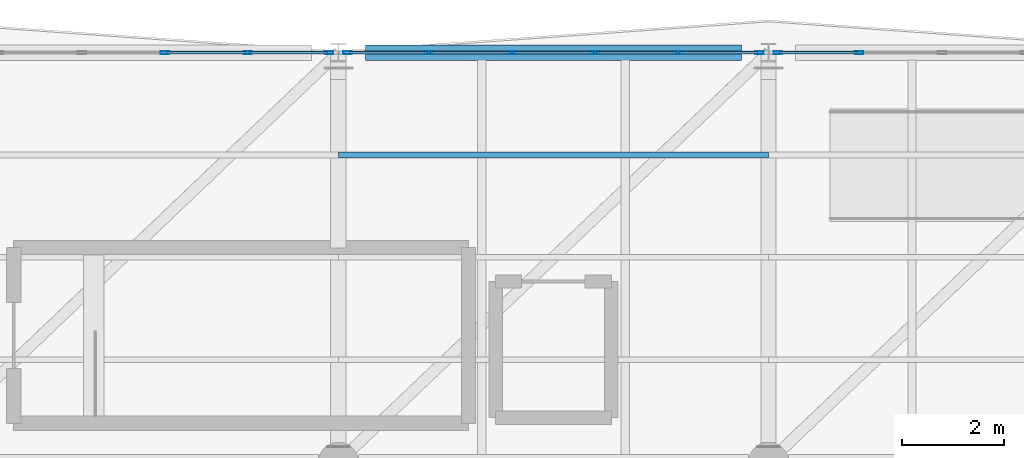
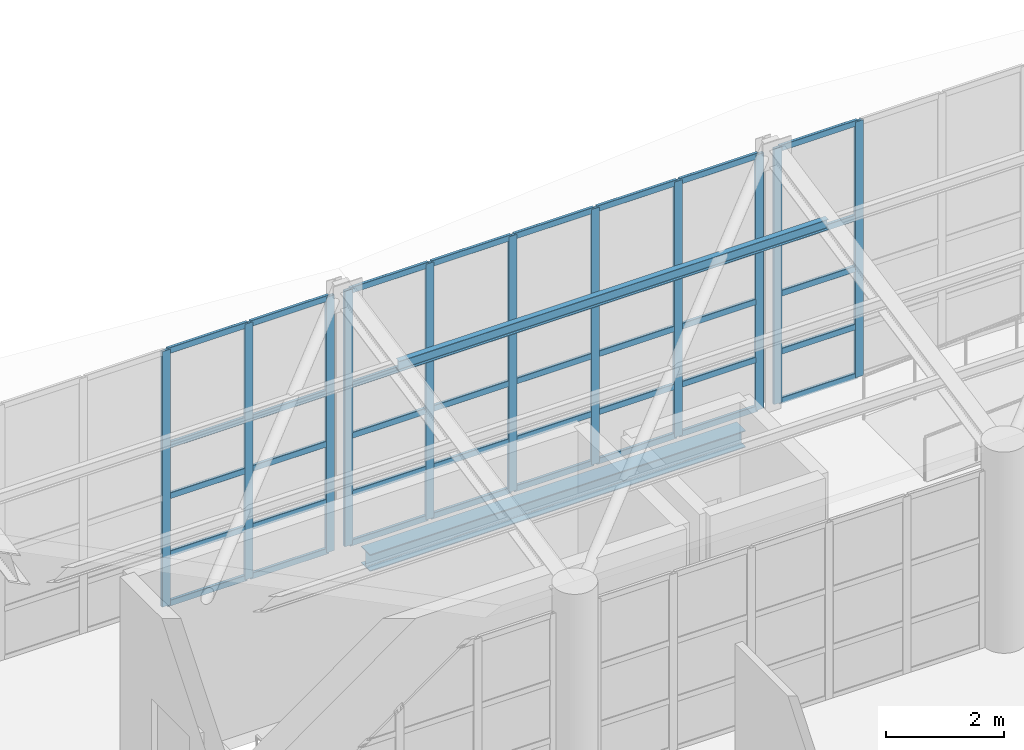
# One storey, part 101 of 177: 52 members, 1 beam, 3 elements without a shape of their own.
"""IFC4 building model written with IfcOpenShell, lengths in metres."""

from ifc_helpers import new_model, si_unit, direction, frame, origin, origin_2d, place, context, subcontext, project, spatial, hollow_rectangle, i_section, extrude, material, layer, layer_set, material_profile, profile_set, type_object, element, aggregate, save


model = new_model("IFC4")

# Units and contexts
model_context = context("Model", 3, precision=1e-05, world=origin(), true_north=direction((0.0, 1.0)))
body_context = subcontext(model_context, "Body", "Model", "MODEL_VIEW")
ifc_project = project(units=[si_unit("LENGTHUNIT", "METRE"), si_unit("AREAUNIT", "SQUARE_METRE"), si_unit("VOLUMEUNIT", "CUBIC_METRE"), si_unit("PLANEANGLEUNIT", "RADIAN"), si_unit("MASSUNIT", "GRAM", prefix="KILO"), si_unit("THERMODYNAMICTEMPERATUREUNIT", "KELVIN"), si_unit("POWERUNIT", "WATT")], contexts=[model_context])

# Site, building, storey
site_placement = place(None, origin())
site = spatial("IfcSite", under=ifc_project, at=site_placement, CompositionType="ELEMENT")
building_placement = place(site_placement, origin())
building = spatial("IfcBuilding", under=site, at=building_placement, Name="Mavoryth Pier Ferry Terminal", CompositionType="ELEMENT")
storey_placement = place(building_placement, frame((0.0, 0.0, 5.43994140625)))
storey = spatial("IfcBuildingStorey", under=building, at=storey_placement, Name="L01", CompositionType="ELEMENT", Elevation=5.43994140625)

# Curtain wall, members
ifc_material_1 = material(Name="Anodised Aluminium and Solar-Control Low-E Glass", Category="aluminium")
ifc_layer = layer(ifc_material_1, 0.139892578125, Name="Anodised Aluminium and Solar-Control Low-E Glass", Category="aluminium")
ifc_layer_set = layer_set([ifc_layer], Name="Anodised Aluminium and Solar-Control Low-E Glass - CW-Gallery-Mod1600")
curtain_wall_type = type_object("IfcCurtainWallType", Name="CW-Gallery-Mod1600", PredefinedType="USERDEFINED", material=ifc_layer_set)
curtain_wall_1_placement = place(storey_placement, origin())
curtain_wall_1 = element("IfcCurtainWall", 1, at=curtain_wall_1_placement, inside=storey, type_object=curtain_wall_type, Name="Curtain Wall CW-0122-078", ObjectType="UNITISED CURTAIN WALL", PredefinedType="USERDEFINED")
ifc_material_2 = material(Name="Anodised Aluminium EN AW-6063", Category="aluminium")
ifc_material_profile_1 = material_profile(ifc_material_2, hollow_rectangle(XDim=0.06005859375, YDim=0.1650390625, WallThickness=0.00390625, InnerFilletRadius=0.00390625, OuterFilletRadius=0.008056640625, at=origin_2d()), Name="AL-MULL 165x60x4", Category="aluminium")
ifc_profile_set_1 = profile_set([ifc_material_profile_1], Name="Anodised Aluminium EN AW-6063 - AL-MULL 165x60x4")
member_type_1 = type_object("IfcMemberType", Name="Mullion-Alum-165x60", PredefinedType="MULLION", material=ifc_profile_set_1)
member_1_placement = place(storey_placement, frame((67.02001953125, 114.0, 0.0), z_axis=(0.0, 0.0, 1.0), x_axis=(0.0, -1.0, 0.0)))
member_1 = element("IfcMember", 2, at=member_1_placement, type_object=member_type_1, Name="CW05 mullion 1", PredefinedType="MULLION", context=body_context, shape_type="SweptSolid", body=[
    extrude(hollow_rectangle(XDim=0.06005859375, YDim=0.1650390625, WallThickness=0.00390625, InnerFilletRadius=0.00390625, OuterFilletRadius=0.008056640625, at=origin_2d()), origin(), (0.0, 0.0, 1.0), 5.28759765625),
])
member_2_placement = place(storey_placement, frame((65.429931640625, 114.0, 0.0), z_axis=(0.0, 0.0, 1.0), x_axis=(0.0, -1.0, 0.0)))
member_2 = element("IfcMember", 3, at=member_2_placement, type_object=member_type_1, Name="CW05 mullion 2", PredefinedType="MULLION", context=body_context, shape_type="SweptSolid", body=[
    extrude(hollow_rectangle(XDim=0.06005859375, YDim=0.1650390625, WallThickness=0.00390625, InnerFilletRadius=0.00390625, OuterFilletRadius=0.008056640625, at=origin_2d()), origin(), (0.0, 0.0, 1.0), 5.28759765625),
])
member_3_placement = place(storey_placement, frame((63.81005859375, 114.0, 0.0), z_axis=(0.0, 0.0, 1.0), x_axis=(0.0, -1.0, 0.0)))
member_3 = element("IfcMember", 4, at=member_3_placement, type_object=member_type_1, Name="CW05 mullion 3", PredefinedType="MULLION", context=body_context, shape_type="SweptSolid", body=[
    extrude(hollow_rectangle(XDim=0.06005859375, YDim=0.1650390625, WallThickness=0.00390625, InnerFilletRadius=0.00390625, OuterFilletRadius=0.008056640625, at=origin_2d()), origin(), (0.0, 0.0, 1.0), 5.28759765625),
])

curtain_wall_2_placement = place(storey_placement, origin())
curtain_wall_2 = element("IfcCurtainWall", 5, at=curtain_wall_2_placement, inside=storey, type_object=curtain_wall_type, Name="Curtain Wall CW-0122-079", ObjectType="UNITISED CURTAIN WALL", PredefinedType="USERDEFINED")
member_4_placement = place(storey_placement, frame((75.419921875, 114.0, 0.0), z_axis=(0.0, 0.0, 1.0), x_axis=(0.0, -1.0, 0.0)))
member_4 = element("IfcMember", 6, at=member_4_placement, type_object=member_type_1, Name="CW05 mullion 1", PredefinedType="MULLION", context=body_context, shape_type="SweptSolid", body=[
    extrude(hollow_rectangle(XDim=0.06005859375, YDim=0.1650390625, WallThickness=0.00390625, InnerFilletRadius=0.00390625, OuterFilletRadius=0.008056640625, at=origin_2d()), origin(), (0.0, 0.0, 1.0), 5.28759765625),
])
member_5_placement = place(storey_placement, frame((73.830078125, 114.0, 0.0), z_axis=(0.0, 0.0, 1.0), x_axis=(0.0, -1.0, 0.0)))
member_5 = element("IfcMember", 7, at=member_5_placement, type_object=member_type_1, Name="CW05 mullion 2", PredefinedType="MULLION", context=body_context, shape_type="SweptSolid", body=[
    extrude(hollow_rectangle(XDim=0.06005859375, YDim=0.1650390625, WallThickness=0.00390625, InnerFilletRadius=0.00390625, OuterFilletRadius=0.008056640625, at=origin_2d()), origin(), (0.0, 0.0, 1.0), 5.28759765625),
])
member_6_placement = place(storey_placement, frame((72.2099609375, 114.0, 0.0), z_axis=(0.0, 0.0, 1.0), x_axis=(0.0, -1.0, 0.0)))
member_6 = element("IfcMember", 8, at=member_6_placement, type_object=member_type_1, Name="CW05 mullion 3", PredefinedType="MULLION", context=body_context, shape_type="SweptSolid", body=[
    extrude(hollow_rectangle(XDim=0.06005859375, YDim=0.1650390625, WallThickness=0.00390625, InnerFilletRadius=0.00390625, OuterFilletRadius=0.008056640625, at=origin_2d()), origin(), (0.0, 0.0, 1.0), 5.28759765625),
])
member_7_placement = place(storey_placement, frame((70.590087890625, 114.0, 0.0), z_axis=(0.0, 0.0, 1.0), x_axis=(0.0, -1.0, 0.0)))
member_7 = element("IfcMember", 9, at=member_7_placement, type_object=member_type_1, Name="CW05 mullion 4", PredefinedType="MULLION", context=body_context, shape_type="SweptSolid", body=[
    extrude(hollow_rectangle(XDim=0.06005859375, YDim=0.1650390625, WallThickness=0.00390625, InnerFilletRadius=0.00390625, OuterFilletRadius=0.008056640625, at=origin_2d()), origin(), (0.0, 0.0, 1.0), 5.28759765625),
])
member_8_placement = place(storey_placement, frame((68.969970703125, 114.0, 0.0), z_axis=(0.0, 0.0, 1.0), x_axis=(0.0, -1.0, 0.0)))
member_8 = element("IfcMember", 10, at=member_8_placement, type_object=member_type_1, Name="CW05 mullion 5", PredefinedType="MULLION", context=body_context, shape_type="SweptSolid", body=[
    extrude(hollow_rectangle(XDim=0.06005859375, YDim=0.1650390625, WallThickness=0.00390625, InnerFilletRadius=0.00390625, OuterFilletRadius=0.008056640625, at=origin_2d()), origin(), (0.0, 0.0, 1.0), 5.28759765625),
])
member_9_placement = place(storey_placement, frame((67.3798828125, 114.0, 0.0), z_axis=(0.0, 0.0, 1.0), x_axis=(0.0, -1.0, 0.0)))
member_9 = element("IfcMember", 11, at=member_9_placement, type_object=member_type_1, Name="CW05 mullion 6", PredefinedType="MULLION", context=body_context, shape_type="SweptSolid", body=[
    extrude(hollow_rectangle(XDim=0.06005859375, YDim=0.1650390625, WallThickness=0.00390625, InnerFilletRadius=0.00390625, OuterFilletRadius=0.008056640625, at=origin_2d()), origin(), (0.0, 0.0, 1.0), 5.28759765625),
])

curtain_wall_3_placement = place(storey_placement, origin())
curtain_wall_3 = element("IfcCurtainWall", 12, at=curtain_wall_3_placement, inside=storey, type_object=curtain_wall_type, Name="Curtain Wall CW-0122-080", ObjectType="UNITISED CURTAIN WALL", PredefinedType="USERDEFINED")
member_10_placement = place(storey_placement, frame((77.3701171875, 114.0, 0.0), z_axis=(0.0, 0.0, 1.0), x_axis=(0.0, -1.0, 0.0)))
member_10 = element("IfcMember", 13, at=member_10_placement, type_object=member_type_1, Name="CW05 mullion 5", PredefinedType="MULLION", context=body_context, shape_type="SweptSolid", body=[
    extrude(hollow_rectangle(XDim=0.06005859375, YDim=0.1650390625, WallThickness=0.00390625, InnerFilletRadius=0.00390625, OuterFilletRadius=0.008056640625, at=origin_2d()), origin(), (0.0, 0.0, 1.0), 5.28759765625),
])
member_11_placement = place(storey_placement, frame((75.780029296875, 114.0, 0.0), z_axis=(0.0, 0.0, 1.0), x_axis=(0.0, -1.0, 0.0)))
member_11 = element("IfcMember", 14, at=member_11_placement, type_object=member_type_1, Name="CW05 mullion 6", PredefinedType="MULLION", context=body_context, shape_type="SweptSolid", body=[
    extrude(hollow_rectangle(XDim=0.06005859375, YDim=0.1650390625, WallThickness=0.00390625, InnerFilletRadius=0.00390625, OuterFilletRadius=0.008056640625, at=origin_2d()), origin(), (0.0, 0.0, 1.0), 5.28759765625),
])

# Member
ifc_material_3 = material(Name="Steel S355J2", Category="steel")
ifc_material_profile_2 = material_profile(ifc_material_3, i_section(OverallWidth=0.110107421875, OverallDepth=0.219970703125, WebThickness=0.005859375, FlangeThickness=0.00927734375, FilletRadius=0.011962890625, at=origin_2d()), Name="IPE 220", Category="steel")
ifc_profile_set_2 = profile_set([ifc_material_profile_2], Name="Steel S355J2 - IPE 220")
member_type_2 = type_object("IfcMemberType", Name="Purlin-Roof-IPE220", PredefinedType="PURLIN", material=ifc_profile_set_2)
member_12_placement = place(storey_placement, frame((67.199951171875, 112.0, 4.991943359375), z_axis=(1.0, 0.0, 0.0), x_axis=(0.0, 1.0, 0.0)))
element("IfcMember", 15, at=member_12_placement, inside=storey, type_object=member_type_2, Name="Steel Member MB-L01-0260", PredefinedType="PURLIN", context=body_context, shape_type="SweptSolid", body=[
    extrude(i_section(OverallWidth=0.110107421875, OverallDepth=0.219970703125, WebThickness=0.005859375, FlangeThickness=0.00927734375, FilletRadius=0.011962890625, at=origin_2d()), origin(), (0.0, 0.0, 1.0), 8.400146484375),
])

# Beam
ifc_material_profile_3 = material_profile(ifc_material_3, i_section(OverallWidth=0.300048828125, OverallDepth=0.35009765625, WebThickness=0.010009765625, FlangeThickness=0.017578125, FilletRadius=0.027099609375, at=origin_2d()), Name="HEA 360", Category="steel")
ifc_profile_set_3 = profile_set([ifc_material_profile_3], Name="Steel S355J2 - HEA 360")
beam_type = type_object("IfcBeamType", Name="Spandrel-Steel-HEA360", PredefinedType="SPANDREL", material=ifc_profile_set_3)
beam_placement = place(storey_placement, frame((67.72509765625, 114.0, -0.4150390625), z_axis=(1.0, 0.0, 0.0), x_axis=(0.0, 1.0, 0.0)))
element("IfcBeam", 16, at=beam_placement, inside=storey, type_object=beam_type, Name="Beam B01-SP03-0268", PredefinedType="SPANDREL", context=body_context, shape_type="SweptSolid", body=[
    extrude(i_section(OverallWidth=0.300048828125, OverallDepth=0.35009765625, WebThickness=0.010009765625, FlangeThickness=0.017578125, FilletRadius=0.027099609375, at=origin_2d()), origin(), (0.0, 0.0, 1.0), 7.349853515625),
])

# Member
ifc_material_profile_4 = material_profile(ifc_material_2, hollow_rectangle(XDim=0.06005859375, YDim=0.125, WallThickness=0.00390625, InnerFilletRadius=0.00390625, OuterFilletRadius=0.008056640625, at=origin_2d()), Name="AL-TRAN 125x60x4", Category="aluminium")
ifc_profile_set_4 = profile_set([ifc_material_profile_4], Name="Anodised Aluminium EN AW-6063 - AL-TRAN 125x60x4")
member_type_3 = type_object("IfcMemberType", Name="Transom-Alum-125x60", PredefinedType="USERDEFINED", material=ifc_profile_set_4)
member_13_placement = place(storey_placement, frame((66.989990234375, 114.0, 0.030029296875), z_axis=(-1.0, 0.0, 0.0), x_axis=(0.0, -1.0, 0.0)))
member_13 = element("IfcMember", 17, at=member_13_placement, type_object=member_type_3, Name="CW05 transom 1.1", ObjectType="TRANSOM", PredefinedType="USERDEFINED", context=body_context, shape_type="SweptSolid", body=[
    extrude(hollow_rectangle(XDim=0.06005859375, YDim=0.125, WallThickness=0.00390625, InnerFilletRadius=0.00390625, OuterFilletRadius=0.008056640625, at=origin_2d()), origin(), (0.0, 0.0, 1.0), 1.530029296875),
])

member_14_placement = place(storey_placement, frame((66.989990234375, 114.0, 1.050048828125), z_axis=(-1.0, 0.0, 0.0), x_axis=(0.0, -1.0, 0.0)))
member_14 = element("IfcMember", 18, at=member_14_placement, type_object=member_type_3, Name="CW05 transom 1.2", ObjectType="TRANSOM", PredefinedType="USERDEFINED", context=body_context, shape_type="SweptSolid", body=[
    extrude(hollow_rectangle(XDim=0.06005859375, YDim=0.125, WallThickness=0.00390625, InnerFilletRadius=0.00390625, OuterFilletRadius=0.008056640625, at=origin_2d()), origin(), (0.0, 0.0, 1.0), 1.530029296875),
])

member_15_placement = place(storey_placement, frame((66.989990234375, 114.0, 2.25), z_axis=(-1.0, 0.0, 0.0), x_axis=(0.0, -1.0, 0.0)))
member_15 = element("IfcMember", 19, at=member_15_placement, type_object=member_type_3, Name="CW05 transom 1.3", ObjectType="TRANSOM", PredefinedType="USERDEFINED", context=body_context, shape_type="SweptSolid", body=[
    extrude(hollow_rectangle(XDim=0.06005859375, YDim=0.125, WallThickness=0.00390625, InnerFilletRadius=0.00390625, OuterFilletRadius=0.008056640625, at=origin_2d()), origin(), (0.0, 0.0, 1.0), 1.530029296875),
])

member_16_placement = place(storey_placement, frame((66.989990234375, 114.0, 3.300048828125), z_axis=(-1.0, 0.0, 0.0), x_axis=(0.0, -1.0, 0.0)))
member_16 = element("IfcMember", 20, at=member_16_placement, type_object=member_type_3, Name="CW05 transom 1.4", ObjectType="TRANSOM", PredefinedType="USERDEFINED", context=body_context, shape_type="SweptSolid", body=[
    extrude(hollow_rectangle(XDim=0.06005859375, YDim=0.125, WallThickness=0.00390625, InnerFilletRadius=0.00390625, OuterFilletRadius=0.008056640625, at=origin_2d()), origin(), (0.0, 0.0, 1.0), 1.530029296875),
])

member_17_placement = place(storey_placement, frame((66.989990234375, 114.0, 5.257568359375), z_axis=(-1.0, 0.0, 0.0), x_axis=(0.0, -1.0, 0.0)))
member_17 = element("IfcMember", 21, at=member_17_placement, type_object=member_type_3, Name="CW05 transom 1.5", ObjectType="TRANSOM", PredefinedType="USERDEFINED", context=body_context, shape_type="SweptSolid", body=[
    extrude(hollow_rectangle(XDim=0.06005859375, YDim=0.125, WallThickness=0.00390625, InnerFilletRadius=0.00390625, OuterFilletRadius=0.008056640625, at=origin_2d()), origin(), (0.0, 0.0, 1.0), 1.530029296875),
])

member_18_placement = place(storey_placement, frame((65.39990234375, 114.0, 0.030029296875), z_axis=(-1.0, 0.0, 0.0), x_axis=(0.0, -1.0, 0.0)))
member_18 = element("IfcMember", 22, at=member_18_placement, type_object=member_type_3, Name="CW05 transom 2.1", ObjectType="TRANSOM", PredefinedType="USERDEFINED", context=body_context, shape_type="SweptSolid", body=[
    extrude(hollow_rectangle(XDim=0.06005859375, YDim=0.125, WallThickness=0.00390625, InnerFilletRadius=0.00390625, OuterFilletRadius=0.008056640625, at=origin_2d()), origin(), (0.0, 0.0, 1.0), 1.559814453125),
])

member_19_placement = place(storey_placement, frame((65.39990234375, 114.0, 1.050048828125), z_axis=(-1.0, 0.0, 0.0), x_axis=(0.0, -1.0, 0.0)))
member_19 = element("IfcMember", 23, at=member_19_placement, type_object=member_type_3, Name="CW05 transom 2.2", ObjectType="TRANSOM", PredefinedType="USERDEFINED", context=body_context, shape_type="SweptSolid", body=[
    extrude(hollow_rectangle(XDim=0.06005859375, YDim=0.125, WallThickness=0.00390625, InnerFilletRadius=0.00390625, OuterFilletRadius=0.008056640625, at=origin_2d()), origin(), (0.0, 0.0, 1.0), 1.559814453125),
])

member_20_placement = place(storey_placement, frame((65.39990234375, 114.0, 2.25), z_axis=(-1.0, 0.0, 0.0), x_axis=(0.0, -1.0, 0.0)))
member_20 = element("IfcMember", 24, at=member_20_placement, type_object=member_type_3, Name="CW05 transom 2.3", ObjectType="TRANSOM", PredefinedType="USERDEFINED", context=body_context, shape_type="SweptSolid", body=[
    extrude(hollow_rectangle(XDim=0.06005859375, YDim=0.125, WallThickness=0.00390625, InnerFilletRadius=0.00390625, OuterFilletRadius=0.008056640625, at=origin_2d()), origin(), (0.0, 0.0, 1.0), 1.559814453125),
])

member_21_placement = place(storey_placement, frame((65.39990234375, 114.0, 3.300048828125), z_axis=(-1.0, 0.0, 0.0), x_axis=(0.0, -1.0, 0.0)))
member_21 = element("IfcMember", 25, at=member_21_placement, type_object=member_type_3, Name="CW05 transom 2.4", ObjectType="TRANSOM", PredefinedType="USERDEFINED", context=body_context, shape_type="SweptSolid", body=[
    extrude(hollow_rectangle(XDim=0.06005859375, YDim=0.125, WallThickness=0.00390625, InnerFilletRadius=0.00390625, OuterFilletRadius=0.008056640625, at=origin_2d()), origin(), (0.0, 0.0, 1.0), 1.559814453125),
])

member_22_placement = place(storey_placement, frame((65.39990234375, 114.0, 5.257568359375), z_axis=(-1.0, 0.0, 0.0), x_axis=(0.0, -1.0, 0.0)))
member_22 = element("IfcMember", 26, at=member_22_placement, type_object=member_type_3, Name="CW05 transom 2.5", ObjectType="TRANSOM", PredefinedType="USERDEFINED", context=body_context, shape_type="SweptSolid", body=[
    extrude(hollow_rectangle(XDim=0.06005859375, YDim=0.125, WallThickness=0.00390625, InnerFilletRadius=0.00390625, OuterFilletRadius=0.008056640625, at=origin_2d()), origin(), (0.0, 0.0, 1.0), 1.559814453125),
])

aggregate(curtain_wall_1, [member_1, member_2, member_3, member_13, member_14, member_15, member_16, member_17, member_18, member_19, member_20, member_21, member_22])

member_23_placement = place(storey_placement, frame((75.389892578125, 114.0, 0.030029296875), z_axis=(-1.0, 0.0, 0.0), x_axis=(0.0, -1.0, 0.0)))
member_23 = element("IfcMember", 27, at=member_23_placement, type_object=member_type_3, Name="CW05 transom 1.1", ObjectType="TRANSOM", PredefinedType="USERDEFINED", context=body_context, shape_type="SweptSolid", body=[
    extrude(hollow_rectangle(XDim=0.06005859375, YDim=0.125, WallThickness=0.00390625, InnerFilletRadius=0.00390625, OuterFilletRadius=0.008056640625, at=origin_2d()), origin(), (0.0, 0.0, 1.0), 1.52978515625),
])

member_24_placement = place(storey_placement, frame((75.389892578125, 114.0, 1.050048828125), z_axis=(-1.0, 0.0, 0.0), x_axis=(0.0, -1.0, 0.0)))
member_24 = element("IfcMember", 28, at=member_24_placement, type_object=member_type_3, Name="CW05 transom 1.2", ObjectType="TRANSOM", PredefinedType="USERDEFINED", context=body_context, shape_type="SweptSolid", body=[
    extrude(hollow_rectangle(XDim=0.06005859375, YDim=0.125, WallThickness=0.00390625, InnerFilletRadius=0.00390625, OuterFilletRadius=0.008056640625, at=origin_2d()), origin(), (0.0, 0.0, 1.0), 1.52978515625),
])

member_25_placement = place(storey_placement, frame((75.389892578125, 114.0, 2.25), z_axis=(-1.0, 0.0, 0.0), x_axis=(0.0, -1.0, 0.0)))
member_25 = element("IfcMember", 29, at=member_25_placement, type_object=member_type_3, Name="CW05 transom 1.3", ObjectType="TRANSOM", PredefinedType="USERDEFINED", context=body_context, shape_type="SweptSolid", body=[
    extrude(hollow_rectangle(XDim=0.06005859375, YDim=0.125, WallThickness=0.00390625, InnerFilletRadius=0.00390625, OuterFilletRadius=0.008056640625, at=origin_2d()), origin(), (0.0, 0.0, 1.0), 1.52978515625),
])

member_26_placement = place(storey_placement, frame((75.389892578125, 114.0, 3.300048828125), z_axis=(-1.0, 0.0, 0.0), x_axis=(0.0, -1.0, 0.0)))
member_26 = element("IfcMember", 30, at=member_26_placement, type_object=member_type_3, Name="CW05 transom 1.4", ObjectType="TRANSOM", PredefinedType="USERDEFINED", context=body_context, shape_type="SweptSolid", body=[
    extrude(hollow_rectangle(XDim=0.06005859375, YDim=0.125, WallThickness=0.00390625, InnerFilletRadius=0.00390625, OuterFilletRadius=0.008056640625, at=origin_2d()), origin(), (0.0, 0.0, 1.0), 1.52978515625),
])

member_27_placement = place(storey_placement, frame((75.389892578125, 114.0, 5.257568359375), z_axis=(-1.0, 0.0, 0.0), x_axis=(0.0, -1.0, 0.0)))
member_27 = element("IfcMember", 31, at=member_27_placement, type_object=member_type_3, Name="CW05 transom 1.5", ObjectType="TRANSOM", PredefinedType="USERDEFINED", context=body_context, shape_type="SweptSolid", body=[
    extrude(hollow_rectangle(XDim=0.06005859375, YDim=0.125, WallThickness=0.00390625, InnerFilletRadius=0.00390625, OuterFilletRadius=0.008056640625, at=origin_2d()), origin(), (0.0, 0.0, 1.0), 1.52978515625),
])

member_28_placement = place(storey_placement, frame((73.800048828125, 114.0, 0.030029296875), z_axis=(-1.0, 0.0, 0.0), x_axis=(0.0, -1.0, 0.0)))
member_28 = element("IfcMember", 32, at=member_28_placement, type_object=member_type_3, Name="CW05 transom 2.1", ObjectType="TRANSOM", PredefinedType="USERDEFINED", context=body_context, shape_type="SweptSolid", body=[
    extrude(hollow_rectangle(XDim=0.06005859375, YDim=0.125, WallThickness=0.00390625, InnerFilletRadius=0.00390625, OuterFilletRadius=0.008056640625, at=origin_2d()), origin(), (0.0, 0.0, 1.0), 1.56005859375),
])

member_29_placement = place(storey_placement, frame((73.800048828125, 114.0, 1.050048828125), z_axis=(-1.0, 0.0, 0.0), x_axis=(0.0, -1.0, 0.0)))
member_29 = element("IfcMember", 33, at=member_29_placement, type_object=member_type_3, Name="CW05 transom 2.2", ObjectType="TRANSOM", PredefinedType="USERDEFINED", context=body_context, shape_type="SweptSolid", body=[
    extrude(hollow_rectangle(XDim=0.06005859375, YDim=0.125, WallThickness=0.00390625, InnerFilletRadius=0.00390625, OuterFilletRadius=0.008056640625, at=origin_2d()), origin(), (0.0, 0.0, 1.0), 1.56005859375),
])

member_30_placement = place(storey_placement, frame((73.800048828125, 114.0, 2.25), z_axis=(-1.0, 0.0, 0.0), x_axis=(0.0, -1.0, 0.0)))
member_30 = element("IfcMember", 34, at=member_30_placement, type_object=member_type_3, Name="CW05 transom 2.3", ObjectType="TRANSOM", PredefinedType="USERDEFINED", context=body_context, shape_type="SweptSolid", body=[
    extrude(hollow_rectangle(XDim=0.06005859375, YDim=0.125, WallThickness=0.00390625, InnerFilletRadius=0.00390625, OuterFilletRadius=0.008056640625, at=origin_2d()), origin(), (0.0, 0.0, 1.0), 1.56005859375),
])

member_31_placement = place(storey_placement, frame((73.800048828125, 114.0, 3.300048828125), z_axis=(-1.0, 0.0, 0.0), x_axis=(0.0, -1.0, 0.0)))
member_31 = element("IfcMember", 35, at=member_31_placement, type_object=member_type_3, Name="CW05 transom 2.4", ObjectType="TRANSOM", PredefinedType="USERDEFINED", context=body_context, shape_type="SweptSolid", body=[
    extrude(hollow_rectangle(XDim=0.06005859375, YDim=0.125, WallThickness=0.00390625, InnerFilletRadius=0.00390625, OuterFilletRadius=0.008056640625, at=origin_2d()), origin(), (0.0, 0.0, 1.0), 1.56005859375),
])

member_32_placement = place(storey_placement, frame((73.800048828125, 114.0, 5.257568359375), z_axis=(-1.0, 0.0, 0.0), x_axis=(0.0, -1.0, 0.0)))
member_32 = element("IfcMember", 36, at=member_32_placement, type_object=member_type_3, Name="CW05 transom 2.5", ObjectType="TRANSOM", PredefinedType="USERDEFINED", context=body_context, shape_type="SweptSolid", body=[
    extrude(hollow_rectangle(XDim=0.06005859375, YDim=0.125, WallThickness=0.00390625, InnerFilletRadius=0.00390625, OuterFilletRadius=0.008056640625, at=origin_2d()), origin(), (0.0, 0.0, 1.0), 1.56005859375),
])

member_33_placement = place(storey_placement, frame((72.179931640625, 114.0, 0.030029296875), z_axis=(-1.0, 0.0, 0.0), x_axis=(0.0, -1.0, 0.0)))
member_33 = element("IfcMember", 37, at=member_33_placement, type_object=member_type_3, Name="CW05 transom 3.1", ObjectType="TRANSOM", PredefinedType="USERDEFINED", context=body_context, shape_type="SweptSolid", body=[
    extrude(hollow_rectangle(XDim=0.06005859375, YDim=0.125, WallThickness=0.00390625, InnerFilletRadius=0.00390625, OuterFilletRadius=0.008056640625, at=origin_2d()), origin(), (0.0, 0.0, 1.0), 1.559814453125),
])

member_34_placement = place(storey_placement, frame((72.179931640625, 114.0, 1.050048828125), z_axis=(-1.0, 0.0, 0.0), x_axis=(0.0, -1.0, 0.0)))
member_34 = element("IfcMember", 38, at=member_34_placement, type_object=member_type_3, Name="CW05 transom 3.2", ObjectType="TRANSOM", PredefinedType="USERDEFINED", context=body_context, shape_type="SweptSolid", body=[
    extrude(hollow_rectangle(XDim=0.06005859375, YDim=0.125, WallThickness=0.00390625, InnerFilletRadius=0.00390625, OuterFilletRadius=0.008056640625, at=origin_2d()), origin(), (0.0, 0.0, 1.0), 1.559814453125),
])

member_35_placement = place(storey_placement, frame((72.179931640625, 114.0, 2.25), z_axis=(-1.0, 0.0, 0.0), x_axis=(0.0, -1.0, 0.0)))
member_35 = element("IfcMember", 39, at=member_35_placement, type_object=member_type_3, Name="CW05 transom 3.3", ObjectType="TRANSOM", PredefinedType="USERDEFINED", context=body_context, shape_type="SweptSolid", body=[
    extrude(hollow_rectangle(XDim=0.06005859375, YDim=0.125, WallThickness=0.00390625, InnerFilletRadius=0.00390625, OuterFilletRadius=0.008056640625, at=origin_2d()), origin(), (0.0, 0.0, 1.0), 1.559814453125),
])

member_36_placement = place(storey_placement, frame((72.179931640625, 114.0, 3.300048828125), z_axis=(-1.0, 0.0, 0.0), x_axis=(0.0, -1.0, 0.0)))
member_36 = element("IfcMember", 40, at=member_36_placement, type_object=member_type_3, Name="CW05 transom 3.4", ObjectType="TRANSOM", PredefinedType="USERDEFINED", context=body_context, shape_type="SweptSolid", body=[
    extrude(hollow_rectangle(XDim=0.06005859375, YDim=0.125, WallThickness=0.00390625, InnerFilletRadius=0.00390625, OuterFilletRadius=0.008056640625, at=origin_2d()), origin(), (0.0, 0.0, 1.0), 1.559814453125),
])

member_37_placement = place(storey_placement, frame((72.179931640625, 114.0, 5.257568359375), z_axis=(-1.0, 0.0, 0.0), x_axis=(0.0, -1.0, 0.0)))
member_37 = element("IfcMember", 41, at=member_37_placement, type_object=member_type_3, Name="CW05 transom 3.5", ObjectType="TRANSOM", PredefinedType="USERDEFINED", context=body_context, shape_type="SweptSolid", body=[
    extrude(hollow_rectangle(XDim=0.06005859375, YDim=0.125, WallThickness=0.00390625, InnerFilletRadius=0.00390625, OuterFilletRadius=0.008056640625, at=origin_2d()), origin(), (0.0, 0.0, 1.0), 1.559814453125),
])

member_38_placement = place(storey_placement, frame((70.56005859375, 114.0, 0.030029296875), z_axis=(-1.0, 0.0, 0.0), x_axis=(0.0, -1.0, 0.0)))
member_38 = element("IfcMember", 42, at=member_38_placement, type_object=member_type_3, Name="CW05 transom 4.1", ObjectType="TRANSOM", PredefinedType="USERDEFINED", context=body_context, shape_type="SweptSolid", body=[
    extrude(hollow_rectangle(XDim=0.06005859375, YDim=0.125, WallThickness=0.00390625, InnerFilletRadius=0.00390625, OuterFilletRadius=0.008056640625, at=origin_2d()), origin(), (0.0, 0.0, 1.0), 1.56005859375),
])

member_39_placement = place(storey_placement, frame((70.56005859375, 114.0, 1.050048828125), z_axis=(-1.0, 0.0, 0.0), x_axis=(0.0, -1.0, 0.0)))
member_39 = element("IfcMember", 43, at=member_39_placement, type_object=member_type_3, Name="CW05 transom 4.2", ObjectType="TRANSOM", PredefinedType="USERDEFINED", context=body_context, shape_type="SweptSolid", body=[
    extrude(hollow_rectangle(XDim=0.06005859375, YDim=0.125, WallThickness=0.00390625, InnerFilletRadius=0.00390625, OuterFilletRadius=0.008056640625, at=origin_2d()), origin(), (0.0, 0.0, 1.0), 1.56005859375),
])

member_40_placement = place(storey_placement, frame((70.56005859375, 114.0, 2.25), z_axis=(-1.0, 0.0, 0.0), x_axis=(0.0, -1.0, 0.0)))
member_40 = element("IfcMember", 44, at=member_40_placement, type_object=member_type_3, Name="CW05 transom 4.3", ObjectType="TRANSOM", PredefinedType="USERDEFINED", context=body_context, shape_type="SweptSolid", body=[
    extrude(hollow_rectangle(XDim=0.06005859375, YDim=0.125, WallThickness=0.00390625, InnerFilletRadius=0.00390625, OuterFilletRadius=0.008056640625, at=origin_2d()), origin(), (0.0, 0.0, 1.0), 1.56005859375),
])

member_41_placement = place(storey_placement, frame((70.56005859375, 114.0, 3.300048828125), z_axis=(-1.0, 0.0, 0.0), x_axis=(0.0, -1.0, 0.0)))
member_41 = element("IfcMember", 45, at=member_41_placement, type_object=member_type_3, Name="CW05 transom 4.4", ObjectType="TRANSOM", PredefinedType="USERDEFINED", context=body_context, shape_type="SweptSolid", body=[
    extrude(hollow_rectangle(XDim=0.06005859375, YDim=0.125, WallThickness=0.00390625, InnerFilletRadius=0.00390625, OuterFilletRadius=0.008056640625, at=origin_2d()), origin(), (0.0, 0.0, 1.0), 1.56005859375),
])

member_42_placement = place(storey_placement, frame((70.56005859375, 114.0, 5.257568359375), z_axis=(-1.0, 0.0, 0.0), x_axis=(0.0, -1.0, 0.0)))
member_42 = element("IfcMember", 46, at=member_42_placement, type_object=member_type_3, Name="CW05 transom 4.5", ObjectType="TRANSOM", PredefinedType="USERDEFINED", context=body_context, shape_type="SweptSolid", body=[
    extrude(hollow_rectangle(XDim=0.06005859375, YDim=0.125, WallThickness=0.00390625, InnerFilletRadius=0.00390625, OuterFilletRadius=0.008056640625, at=origin_2d()), origin(), (0.0, 0.0, 1.0), 1.56005859375),
])

member_43_placement = place(storey_placement, frame((68.93994140625, 114.0, 0.030029296875), z_axis=(-1.0, 0.0, 0.0), x_axis=(0.0, -1.0, 0.0)))
member_43 = element("IfcMember", 47, at=member_43_placement, type_object=member_type_3, Name="CW05 transom 5.1", ObjectType="TRANSOM", PredefinedType="USERDEFINED", context=body_context, shape_type="SweptSolid", body=[
    extrude(hollow_rectangle(XDim=0.06005859375, YDim=0.125, WallThickness=0.00390625, InnerFilletRadius=0.00390625, OuterFilletRadius=0.008056640625, at=origin_2d()), origin(), (0.0, 0.0, 1.0), 1.530029296875),
])

member_44_placement = place(storey_placement, frame((68.93994140625, 114.0, 1.050048828125), z_axis=(-1.0, 0.0, 0.0), x_axis=(0.0, -1.0, 0.0)))
member_44 = element("IfcMember", 48, at=member_44_placement, type_object=member_type_3, Name="CW05 transom 5.2", ObjectType="TRANSOM", PredefinedType="USERDEFINED", context=body_context, shape_type="SweptSolid", body=[
    extrude(hollow_rectangle(XDim=0.06005859375, YDim=0.125, WallThickness=0.00390625, InnerFilletRadius=0.00390625, OuterFilletRadius=0.008056640625, at=origin_2d()), origin(), (0.0, 0.0, 1.0), 1.530029296875),
])

member_45_placement = place(storey_placement, frame((68.93994140625, 114.0, 2.25), z_axis=(-1.0, 0.0, 0.0), x_axis=(0.0, -1.0, 0.0)))
member_45 = element("IfcMember", 49, at=member_45_placement, type_object=member_type_3, Name="CW05 transom 5.3", ObjectType="TRANSOM", PredefinedType="USERDEFINED", context=body_context, shape_type="SweptSolid", body=[
    extrude(hollow_rectangle(XDim=0.06005859375, YDim=0.125, WallThickness=0.00390625, InnerFilletRadius=0.00390625, OuterFilletRadius=0.008056640625, at=origin_2d()), origin(), (0.0, 0.0, 1.0), 1.530029296875),
])

member_46_placement = place(storey_placement, frame((68.93994140625, 114.0, 3.300048828125), z_axis=(-1.0, 0.0, 0.0), x_axis=(0.0, -1.0, 0.0)))
member_46 = element("IfcMember", 50, at=member_46_placement, type_object=member_type_3, Name="CW05 transom 5.4", ObjectType="TRANSOM", PredefinedType="USERDEFINED", context=body_context, shape_type="SweptSolid", body=[
    extrude(hollow_rectangle(XDim=0.06005859375, YDim=0.125, WallThickness=0.00390625, InnerFilletRadius=0.00390625, OuterFilletRadius=0.008056640625, at=origin_2d()), origin(), (0.0, 0.0, 1.0), 1.530029296875),
])

member_47_placement = place(storey_placement, frame((68.93994140625, 114.0, 5.257568359375), z_axis=(-1.0, 0.0, 0.0), x_axis=(0.0, -1.0, 0.0)))
member_47 = element("IfcMember", 51, at=member_47_placement, type_object=member_type_3, Name="CW05 transom 5.5", ObjectType="TRANSOM", PredefinedType="USERDEFINED", context=body_context, shape_type="SweptSolid", body=[
    extrude(hollow_rectangle(XDim=0.06005859375, YDim=0.125, WallThickness=0.00390625, InnerFilletRadius=0.00390625, OuterFilletRadius=0.008056640625, at=origin_2d()), origin(), (0.0, 0.0, 1.0), 1.530029296875),
])

aggregate(curtain_wall_2, [member_4, member_5, member_6, member_7, member_8, member_9, member_23, member_24, member_25, member_26, member_27, member_28, member_29, member_30, member_31, member_32, member_33, member_34, member_35, member_36, member_37, member_38, member_39, member_40, member_41, member_42, member_43, member_44, member_45, member_46, member_47])

member_48_placement = place(storey_placement, frame((77.340087890625, 114.0, 0.030029296875), z_axis=(-1.0, 0.0, 0.0), x_axis=(0.0, -1.0, 0.0)))
member_48 = element("IfcMember", 52, at=member_48_placement, type_object=member_type_3, Name="CW05 transom 5.1", ObjectType="TRANSOM", PredefinedType="USERDEFINED", context=body_context, shape_type="SweptSolid", body=[
    extrude(hollow_rectangle(XDim=0.06005859375, YDim=0.125, WallThickness=0.00390625, InnerFilletRadius=0.00390625, OuterFilletRadius=0.008056640625, at=origin_2d()), origin(), (0.0, 0.0, 1.0), 1.530029296875),
])

member_49_placement = place(storey_placement, frame((77.340087890625, 114.0, 1.050048828125), z_axis=(-1.0, 0.0, 0.0), x_axis=(0.0, -1.0, 0.0)))
member_49 = element("IfcMember", 53, at=member_49_placement, type_object=member_type_3, Name="CW05 transom 5.2", ObjectType="TRANSOM", PredefinedType="USERDEFINED", context=body_context, shape_type="SweptSolid", body=[
    extrude(hollow_rectangle(XDim=0.06005859375, YDim=0.125, WallThickness=0.00390625, InnerFilletRadius=0.00390625, OuterFilletRadius=0.008056640625, at=origin_2d()), origin(), (0.0, 0.0, 1.0), 1.530029296875),
])

member_50_placement = place(storey_placement, frame((77.340087890625, 114.0, 2.25), z_axis=(-1.0, 0.0, 0.0), x_axis=(0.0, -1.0, 0.0)))
member_50 = element("IfcMember", 54, at=member_50_placement, type_object=member_type_3, Name="CW05 transom 5.3", ObjectType="TRANSOM", PredefinedType="USERDEFINED", context=body_context, shape_type="SweptSolid", body=[
    extrude(hollow_rectangle(XDim=0.06005859375, YDim=0.125, WallThickness=0.00390625, InnerFilletRadius=0.00390625, OuterFilletRadius=0.008056640625, at=origin_2d()), origin(), (0.0, 0.0, 1.0), 1.530029296875),
])

member_51_placement = place(storey_placement, frame((77.340087890625, 114.0, 3.300048828125), z_axis=(-1.0, 0.0, 0.0), x_axis=(0.0, -1.0, 0.0)))
member_51 = element("IfcMember", 55, at=member_51_placement, type_object=member_type_3, Name="CW05 transom 5.4", ObjectType="TRANSOM", PredefinedType="USERDEFINED", context=body_context, shape_type="SweptSolid", body=[
    extrude(hollow_rectangle(XDim=0.06005859375, YDim=0.125, WallThickness=0.00390625, InnerFilletRadius=0.00390625, OuterFilletRadius=0.008056640625, at=origin_2d()), origin(), (0.0, 0.0, 1.0), 1.530029296875),
])

member_52_placement = place(storey_placement, frame((77.340087890625, 114.0, 5.257568359375), z_axis=(-1.0, 0.0, 0.0), x_axis=(0.0, -1.0, 0.0)))
member_52 = element("IfcMember", 56, at=member_52_placement, type_object=member_type_3, Name="CW05 transom 5.5", ObjectType="TRANSOM", PredefinedType="USERDEFINED", context=body_context, shape_type="SweptSolid", body=[
    extrude(hollow_rectangle(XDim=0.06005859375, YDim=0.125, WallThickness=0.00390625, InnerFilletRadius=0.00390625, OuterFilletRadius=0.008056640625, at=origin_2d()), origin(), (0.0, 0.0, 1.0), 1.530029296875),
])

aggregate(curtain_wall_3, [member_10, member_11, member_48, member_49, member_50, member_51, member_52])

save(model, "model.ifc")
